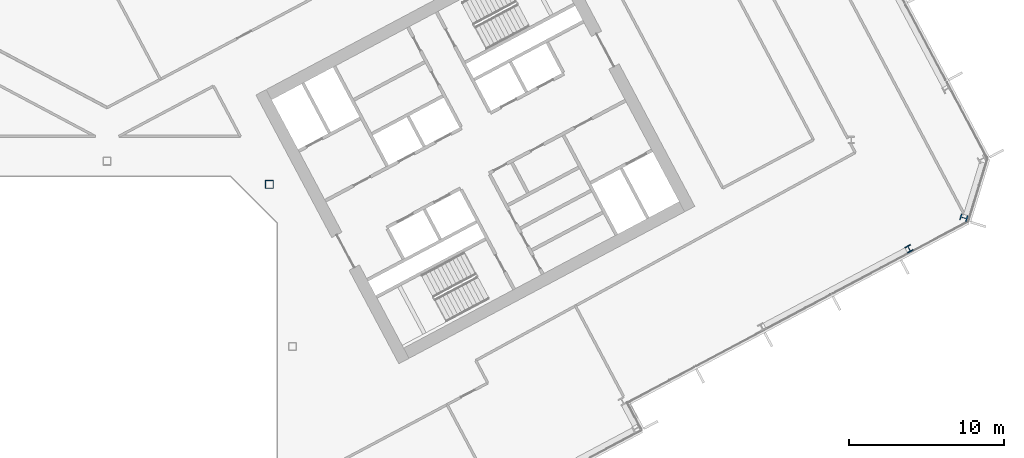
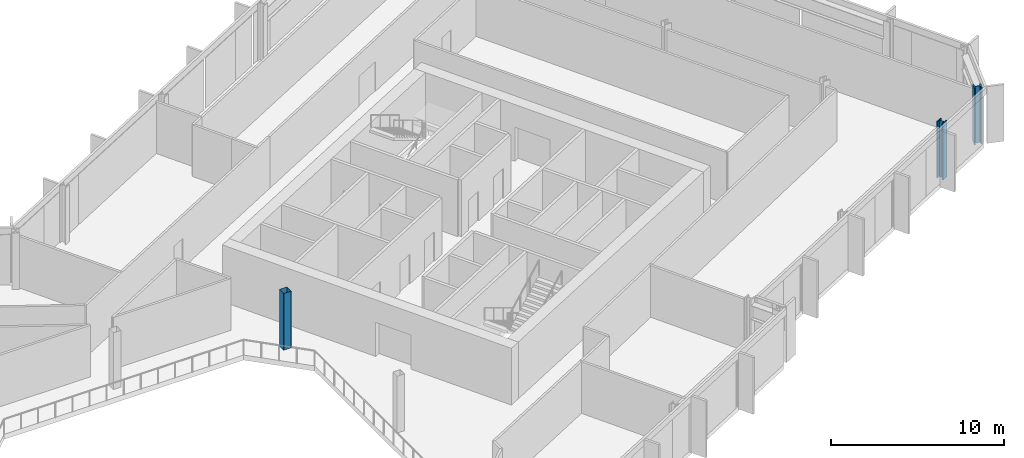
# One storey, part 6 of 28: 3 columns.
"""IFC4 building model written with IfcOpenShell, lengths in metres."""

from ifc_helpers import new_model, si_unit, direction, frame, origin, origin_2d, place, context, subcontext, project, spatial, hollow_rectangle, i_section, extrude, material, material_profile, profile_set, type_object, element, save


model = new_model("IFC4")

# Units and contexts
model_context = context("Model", 3, precision=1e-05, world=origin(), true_north=direction((0.0, 1.0)))
body_context = subcontext(model_context, "Body", "Model", "MODEL_VIEW")
ifc_project = project(units=[si_unit("LENGTHUNIT", "METRE"), si_unit("AREAUNIT", "SQUARE_METRE"), si_unit("VOLUMEUNIT", "CUBIC_METRE"), si_unit("PLANEANGLEUNIT", "RADIAN"), si_unit("MASSUNIT", "GRAM", prefix="KILO")], contexts=[model_context])

# Site, building, storey
site_placement = place(None, origin())
site = spatial("IfcSite", under=ifc_project, at=site_placement, CompositionType="ELEMENT")
building_placement = place(site_placement, origin())
building = spatial("IfcBuilding", under=site, at=building_placement, Name="Cormorant Relay Tower", CompositionType="ELEMENT")
storey_placement = place(building_placement, frame((0.0, 0.0, 170.199951171875)))
storey = spatial("IfcBuildingStorey", under=building, at=storey_placement, Name="L36", CompositionType="ELEMENT", Elevation=170.199951171875)

# Columns
ifc_material_1 = material(Name="Steel ASTM A500 Grade C (Fy 345 MPa)", Category="steel")
ifc_material_profile_1 = material_profile(ifc_material_1, hollow_rectangle(XDim=0.508056640625, YDim=0.508056640625, WallThickness=0.01171875, InnerFilletRadius=0.005859375, OuterFilletRadius=0.017822265625, at=origin_2d()), Name="HSS508x508x12")
ifc_profile_set_1 = profile_set([ifc_material_profile_1], Name="Steel ASTM A500 Grade C (Fy 345 MPa)")
column_type_1 = type_object("IfcColumnType", Name="Column HSS508x508x12", PredefinedType="COLUMN", material=ifc_profile_set_1)
column_1_placement = place(storey_placement, frame((10.5, 10.5, 0.0), z_axis=(0.0, 0.0, 1.0), x_axis=(1.0, 0.0, 0.0)))
element("IfcColumn", 1, at=column_1_placement, inside=storey, type_object=column_type_1, Name="Column L36-024", PredefinedType="COLUMN", context=body_context, shape_type="SweptSolid", body=[
    extrude(hollow_rectangle(XDim=0.508056640625, YDim=0.508056640625, WallThickness=0.01171875, InnerFilletRadius=0.005859375, OuterFilletRadius=0.017822265625, at=origin_2d()), origin(), (0.0, 0.0, 1.0), 4.0),
])
ifc_material_2 = material(Name="Steel ASTM A992 (Fy 345 MPa)", Category="steel")
ifc_material_profile_2 = material_profile(ifc_material_2, i_section(OverallWidth=0.41162109375, OverallDepth=0.434326171875, WebThickness=0.035888671875, FlangeThickness=0.057373046875, FilletRadius=0.01513671875, at=origin_2d()), Name="W360x463")
ifc_profile_set_2 = profile_set([ifc_material_profile_2], Name="Steel ASTM A992 (Fy 345 MPa)")
column_type_2 = type_object("IfcColumnType", Name="Column W360x463", PredefinedType="COLUMN", material=ifc_profile_set_2)
column_2_placement = place(storey_placement, frame((51.905029296875, 6.327880859375, 0.0), z_axis=(0.0, 0.0, 1.0), x_axis=(0.882947592859, 0.469471562786, 0.0)))
element("IfcColumn", 2, at=column_2_placement, inside=storey, type_object=column_type_2, Name="Column L36-020", PredefinedType="COLUMN", context=body_context, shape_type="SweptSolid", body=[
    extrude(i_section(OverallWidth=0.41162109375, OverallDepth=0.434326171875, WebThickness=0.035888671875, FlangeThickness=0.057373046875, FilletRadius=0.01513671875, at=origin_2d()), origin(), (0.0, 0.0, 1.0), 4.0),
])
ifc_material_3 = material(Name="Steel ASTM A992 (Fy 345 MPa)", Category="steel")
ifc_material_profile_3 = material_profile(ifc_material_3, i_section(OverallWidth=0.42431640625, OverallDepth=0.47509765625, WebThickness=0.0478515625, FlangeThickness=0.0771484375, FilletRadius=0.014892578125, at=origin_2d()), Name="W360x634")
ifc_profile_set_3 = profile_set([ifc_material_profile_3], Name="Steel ASTM A992 (Fy 345 MPa)")
column_type_3 = type_object("IfcColumnType", Name="Column W360x634", PredefinedType="COLUMN", material=ifc_profile_set_3)
column_3_placement = place(storey_placement, frame((55.446044921875, 8.3291015625, 0.0), z_axis=(0.0, 0.0, 1.0), x_axis=(0.292371704723, 0.956304755963, 0.0)))
element("IfcColumn", 3, at=column_3_placement, inside=storey, type_object=column_type_3, Name="Column L36-021", PredefinedType="COLUMN", context=body_context, shape_type="SweptSolid", body=[
    extrude(i_section(OverallWidth=0.42431640625, OverallDepth=0.47509765625, WebThickness=0.0478515625, FlangeThickness=0.0771484375, FilletRadius=0.014892578125, at=origin_2d()), origin(), (0.0, 0.0, 1.0), 4.0),
])

save(model, "model.ifc")
